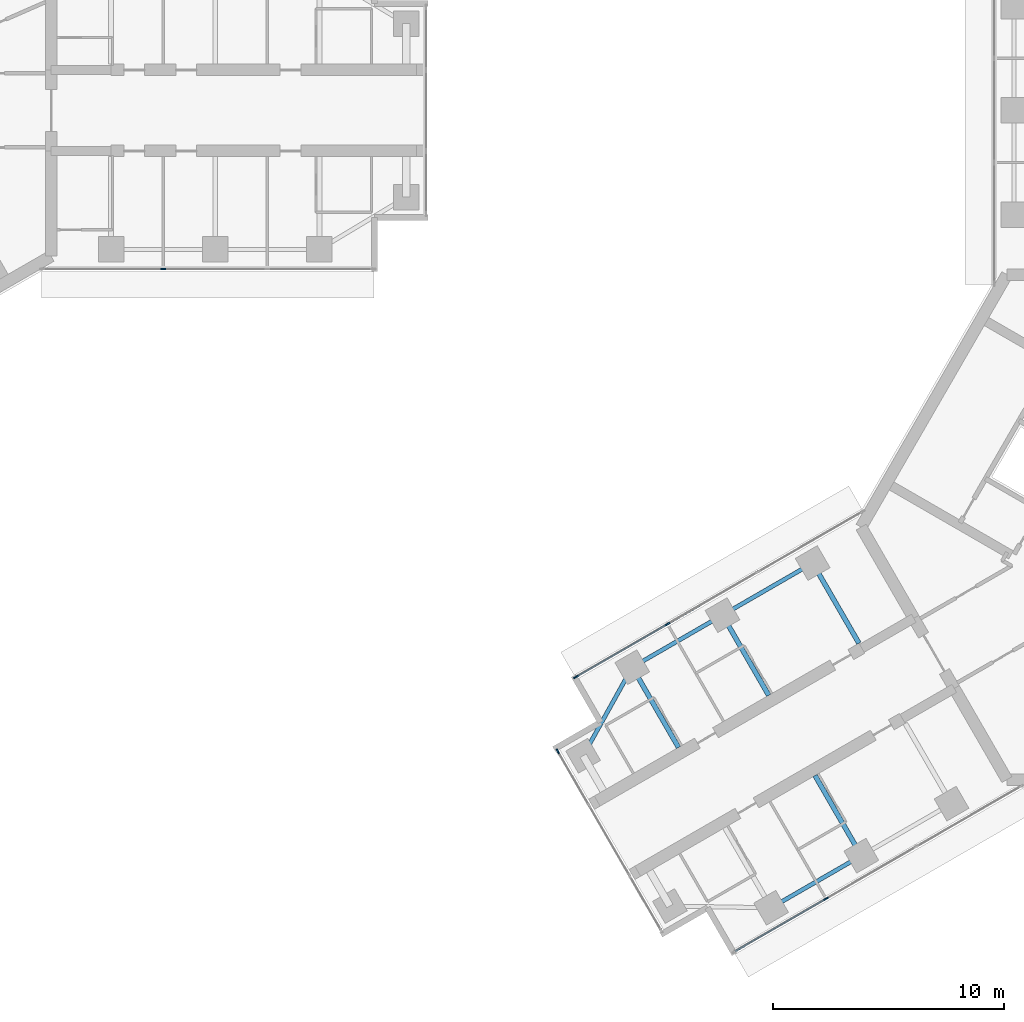
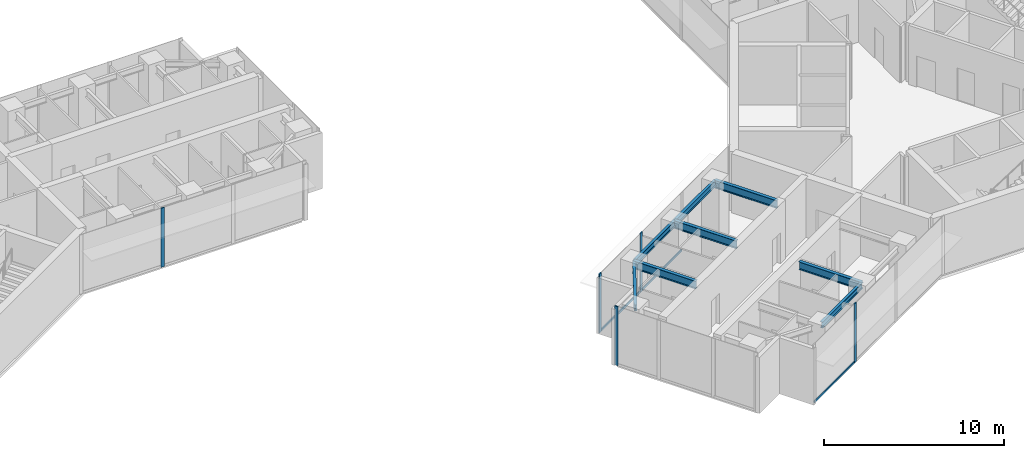
# One storey, part 3 of 18: 8 beams, 8 members, 4 elements without a shape of their own.
"""IFC4 building model written with IfcOpenShell, lengths in metres."""

from ifc_helpers import new_model, si_unit, direction, frame, origin, origin_2d, place, context, subcontext, project, spatial, rectangle, i_section, extrude, material, material_profile, profile_set, type_object, element, aggregate, save


model = new_model("IFC4")

# Units and contexts
model_context = context("Model", 3, precision=1e-05, world=origin(), true_north=direction((0.0, 1.0)))
body_context = subcontext(model_context, "Body", "Model", "MODEL_VIEW")
ifc_project = project(units=[si_unit("LENGTHUNIT", "METRE"), si_unit("AREAUNIT", "SQUARE_METRE"), si_unit("VOLUMEUNIT", "CUBIC_METRE"), si_unit("PLANEANGLEUNIT", "RADIAN"), si_unit("MASSUNIT", "GRAM", prefix="KILO")], contexts=[model_context])

# Site, building, storey
site_placement = place(None, origin())
site = spatial("IfcSite", under=ifc_project, at=site_placement, CompositionType="ELEMENT")
building_placement = place(site_placement, origin())
building = spatial("IfcBuilding", under=site, at=building_placement, Name="Upepo Twin Towers", CompositionType="ELEMENT")
storey_placement = place(building_placement, frame((0.0, 0.0, 218.5)))
storey = spatial("IfcBuildingStorey", under=building, at=storey_placement, Name="L53", CompositionType="ELEMENT", Elevation=218.5)

# Beams
ifc_material_1 = material(Name="Steel S355", Category="steel")
ifc_material_profile_1 = material_profile(ifc_material_1, i_section(OverallWidth=0.177978515625, OverallDepth=0.406494140625, WebThickness=0.0078125, FlangeThickness=0.0126953125, FilletRadius=0.01025390625, at=origin_2d()), Name="UB 406x178x60")
ifc_profile_set_1 = profile_set([ifc_material_profile_1], Name="Steel S355")
beam_type_1 = type_object("IfcBeamType", Name="Beam UB 406x178x60", PredefinedType="BEAM", material=ifc_profile_set_1)
beam_1_placement = place(storey_placement, frame((45.91162109375, -32.196044921875, 3.5966796875), z_axis=(-0.866031096941, -0.499990139034, 0.0), x_axis=(0.499990139034, -0.866031096941, 0.0)))
element("IfcBeam", 1, at=beam_1_placement, inside=storey, type_object=beam_type_1, Name="T2 edge beam BL 18.0-22.5", PredefinedType="BEAM", context=body_context, shape_type="SweptSolid", body=[
    extrude(i_section(OverallWidth=0.177978515625, OverallDepth=0.406494140625, WebThickness=0.0078125, FlangeThickness=0.0126953125, FilletRadius=0.01025390625, at=origin_2d()), origin(), (0.0, 0.0, 1.0), 4.5),
])
beam_2_placement = place(storey_placement, frame((43.80859375, -19.553955078125, 3.5966796875), z_axis=(-0.866017533419, -0.500013631625, 0.0), x_axis=(0.500013631625, -0.866017533419, 0.0)))
element("IfcBeam", 2, at=beam_2_placement, inside=storey, type_object=beam_type_1, Name="T2 edge beam BR 13.5-18.0", PredefinedType="BEAM", context=body_context, shape_type="SweptSolid", body=[
    extrude(i_section(OverallWidth=0.177978515625, OverallDepth=0.406494140625, WebThickness=0.0078125, FlangeThickness=0.0126953125, FilletRadius=0.01025390625, at=origin_2d()), origin(), (0.0, 0.0, 1.0), 4.499755859375),
])
beam_3_placement = place(storey_placement, frame((39.91162109375, -21.803955078125, 3.5966796875), z_axis=(-0.866031096941, -0.499990139034, 0.0), x_axis=(0.499990139034, -0.866031096941, 0.0)))
element("IfcBeam", 3, at=beam_3_placement, inside=storey, type_object=beam_type_1, Name="T2 edge beam BR 18.0-22.5", PredefinedType="BEAM", context=body_context, shape_type="SweptSolid", body=[
    extrude(i_section(OverallWidth=0.177978515625, OverallDepth=0.406494140625, WebThickness=0.0078125, FlangeThickness=0.0126953125, FilletRadius=0.01025390625, at=origin_2d()), origin(), (0.0, 0.0, 1.0), 4.5),
])
beam_4_placement = place(storey_placement, frame((36.014404296875, -24.053955078125, 3.5966796875), z_axis=(-0.485363242752, -0.874312600038, 0.0), x_axis=(0.874312600038, -0.485363242752, 0.0)))
element("IfcBeam", 4, at=beam_4_placement, inside=storey, type_object=beam_type_1, Name="T2 nose edge beam BR", PredefinedType="BEAM", context=body_context, shape_type="SweptSolid", body=[
    extrude(i_section(OverallWidth=0.177978515625, OverallDepth=0.406494140625, WebThickness=0.0078125, FlangeThickness=0.0126953125, FilletRadius=0.01025390625, at=origin_2d()), origin(), (0.0, 0.0, 1.0), 4.373046875),
])
ifc_material_2 = material(Name="Steel S355", Category="steel")
ifc_material_profile_2 = material_profile(ifc_material_2, i_section(OverallWidth=0.209228515625, OverallDepth=0.533203125, WebThickness=0.010009765625, FlangeThickness=0.015625, FilletRadius=0.0126953125, at=origin_2d()), Name="UB 533x210x92")
ifc_profile_set_2 = profile_set([ifc_material_profile_2], Name="Steel S355")
beam_type_2 = type_object("IfcBeamType", Name="Beam UB 533x210x92", PredefinedType="BEAM", material=ifc_profile_set_2)
for number, where, z_axis, x_axis, name in (
    (5, (45.91162109375, -32.196044921875, 3.533447265625), (-0.49999894854, 0.866026010844, 0.0), (-0.866026010844, -0.49999894854, 0.0), "T2 girder BL at 18.0"),
    (6, (43.80859375, -19.553955078125, 3.533447265625), (0.49999894854, -0.866026010844, 0.0), (0.866026010844, 0.49999894854, 0.0), "T2 girder BR at 13.5"),
    (7, (39.91162109375, -21.803955078125, 3.533447265625), (0.49999894854, -0.866026010844, 0.0), (0.866026010844, 0.49999894854, 0.0), "T2 girder BR at 18.0"),
    (8, (36.014404296875, -24.053955078125, 3.533447265625), (0.49999894854, -0.866026010844, 0.0), (0.866026010844, 0.49999894854, 0.0), "T2 girder BR at 22.5"),
):
    element("IfcBeam", number, at=place(storey_placement, frame(where, z_axis=z_axis, x_axis=x_axis)), inside=storey, type_object=beam_type_2, Name=name, PredefinedType="BEAM", context=body_context, shape_type="SweptSolid", body=[
        extrude(i_section(OverallWidth=0.209228515625, OverallDepth=0.533203125, WebThickness=0.010009765625, FlangeThickness=0.015625, FilletRadius=0.0126953125, at=origin_2d()), origin(), (0.0, 0.0, 1.0), 4.0),
    ])

# Curtain wall, member
ifc_material_3 = material(Name="Aluminium and fritted glass", Category="aluminium")
curtain_wall_type = type_object("IfcCurtainWallType", Name="Tower curtain wall TW3, fritted glass", PredefinedType="NOTDEFINED", material=ifc_material_3)
curtain_wall_1_placement = place(storey_placement, origin())
curtain_wall_1 = element("IfcCurtainWall", 9, at=curtain_wall_1_placement, inside=storey, type_object=curtain_wall_type, Name="T1 L53 wing A flank R curtain wall", PredefinedType="NOTDEFINED")
ifc_material_4 = material(Name="Aluminium mullion", Category="aluminium")
ifc_material_profile_3 = material_profile(ifc_material_4, rectangle(XDim=0.06494140625, YDim=0.22509765625, at=origin_2d()), Name="MULLION 65x225")
ifc_profile_set_3 = profile_set([ifc_material_profile_3], Name="Aluminium mullion")
member_type_1 = type_object("IfcMemberType", Name="Mullion 65x225 TW3", PredefinedType="MULLION", material=ifc_profile_set_3)
member_1_placement = place(storey_placement, frame((15.75, -6.85009765625, 0.0), z_axis=(0.0, 0.0, 1.0), x_axis=(0.0, -1.0, 0.0)))
member_1 = element("IfcMember", 10, at=member_1_placement, type_object=member_type_1, Name="T1 L53 wing A flank R curtain wall mullion 3", PredefinedType="MULLION", context=body_context, shape_type="SweptSolid", body=[
    extrude(rectangle(XDim=0.06494140625, YDim=0.22509765625, at=origin_2d()), origin(), (0.0, 0.0, 1.0), 4.0),
])
aggregate(curtain_wall_1, [member_1])

curtain_wall_2_placement = place(storey_placement, origin())
curtain_wall_2 = element("IfcCurtainWall", 11, at=curtain_wall_2_placement, inside=storey, type_object=curtain_wall_type, Name="T2 L53 wing B flank L curtain wall", PredefinedType="NOTDEFINED")
member_2_placement = place(storey_placement, frame((44.387939453125, -34.057373046875, 0.0), z_axis=(0.0, 0.0, 1.0), x_axis=(0.500000026527, -0.866025388469, 0.0)))
member_2 = element("IfcMember", 12, at=member_2_placement, type_object=member_type_1, Name="T2 L53 wing B flank L curtain wall mullion 3", PredefinedType="MULLION", context=body_context, shape_type="SweptSolid", body=[
    extrude(rectangle(XDim=0.06494140625, YDim=0.22509765625, at=origin_2d()), origin(), (0.0, 0.0, 1.0), 4.0),
])

# Curtain wall, members
curtain_wall_3_placement = place(storey_placement, origin())
curtain_wall_3 = element("IfcCurtainWall", 13, at=curtain_wall_3_placement, inside=storey, type_object=curtain_wall_type, Name="T2 L53 wing B flank R curtain wall", PredefinedType="NOTDEFINED")
member_3_placement = place(storey_placement, frame((33.58251953125, -24.4765625, 0.0), z_axis=(0.0, 0.0, 1.0), x_axis=(-0.500000026527, 0.866025388469, 0.0)))
member_3 = element("IfcMember", 14, at=member_3_placement, type_object=member_type_1, Name="T2 L53 wing B flank R curtain wall mullion 1", PredefinedType="MULLION", context=body_context, shape_type="SweptSolid", body=[
    extrude(rectangle(XDim=0.06494140625, YDim=0.22509765625, at=origin_2d()), origin(), (0.0, 0.0, 1.0), 4.0),
])
member_4_placement = place(storey_placement, frame((37.5380859375, -22.192626953125, 0.0), z_axis=(0.0, 0.0, 1.0), x_axis=(-0.500000026527, 0.866025388469, 0.0)))
member_4 = element("IfcMember", 15, at=member_4_placement, type_object=member_type_1, Name="T2 L53 wing B flank R curtain wall mullion 2", PredefinedType="MULLION", context=body_context, shape_type="SweptSolid", body=[
    extrude(rectangle(XDim=0.06494140625, YDim=0.22509765625, at=origin_2d()), origin(), (0.0, 0.0, 1.0), 4.0),
])

# Curtain wall, member
curtain_wall_4_placement = place(storey_placement, origin())
curtain_wall_4 = element("IfcCurtainWall", 16, at=curtain_wall_4_placement, inside=storey, type_object=curtain_wall_type, Name="T2 L53 wing B nose curtain wall", PredefinedType="NOTDEFINED")
member_5_placement = place(storey_placement, frame((32.796875, -27.68115234375, 0.0), z_axis=(0.0, 0.0, 1.0), x_axis=(0.866025386174, 0.500000030502, 0.0)))
member_5 = element("IfcMember", 17, at=member_5_placement, type_object=member_type_1, Name="T2 L53 wing B nose curtain wall mullion 1", PredefinedType="MULLION", context=body_context, shape_type="SweptSolid", body=[
    extrude(rectangle(XDim=0.06494140625, YDim=0.22509765625, at=origin_2d()), origin(), (0.0, 0.0, 1.0), 4.0),
])
aggregate(curtain_wall_4, [member_5])

# Member
ifc_material_5 = material(Name="Aluminium transom", Category="aluminium")
ifc_material_profile_4 = material_profile(ifc_material_5, rectangle(XDim=0.06494140625, YDim=0.14990234375, at=origin_2d()), Name="TRANSOM 65x150")
ifc_profile_set_4 = profile_set([ifc_material_profile_4], Name="Aluminium transom")
member_type_2 = type_object("IfcMemberType", Name="Transom 65x150 TW3", PredefinedType="USERDEFINED", material=ifc_profile_set_4)
member_6_placement = place(storey_placement, frame((44.35986328125, -34.073486328125, 0.074951171875), z_axis=(-0.866035699072, -0.499982167615, 0.0), x_axis=(0.499982167615, -0.866035699072, 0.0)))
member_6 = element("IfcMember", 18, at=member_6_placement, type_object=member_type_2, Name="T2 L53 wing B flank L curtain wall transom 3", ObjectType="TRANSOM", PredefinedType="USERDEFINED", context=body_context, shape_type="SweptSolid", body=[
    extrude(rectangle(XDim=0.06494140625, YDim=0.14990234375, at=origin_2d()), origin(), (0.0, 0.0, 1.0), 4.502685546875),
])

aggregate(curtain_wall_2, [member_2, member_6])

member_7_placement = place(storey_placement, frame((33.610595703125, -24.460205078125, 0.074951171875), z_axis=(0.866022143554, 0.500005646842, 0.0), x_axis=(-0.500005646842, 0.866022143554, 0.0)))
member_7 = element("IfcMember", 19, at=member_7_placement, type_object=member_type_2, Name="T2 L53 wing B flank R curtain wall transom 1", ObjectType="TRANSOM", PredefinedType="USERDEFINED", context=body_context, shape_type="SweptSolid", body=[
    extrude(rectangle(XDim=0.06494140625, YDim=0.14990234375, at=origin_2d()), origin(), (0.0, 0.0, 1.0), 4.50244140625),
])

member_8_placement = place(storey_placement, frame((37.566162109375, -22.176513671875, 0.074951171875), z_axis=(0.866022410713, 0.500005184116, 0.0), x_axis=(-0.500005184116, 0.866022410713, 0.0)))
member_8 = element("IfcMember", 20, at=member_8_placement, type_object=member_type_2, Name="T2 L53 wing B flank R curtain wall transom 2", ObjectType="TRANSOM", PredefinedType="USERDEFINED", context=body_context, shape_type="SweptSolid", body=[
    extrude(rectangle(XDim=0.06494140625, YDim=0.14990234375, at=origin_2d()), origin(), (0.0, 0.0, 1.0), 4.43505859375),
])

aggregate(curtain_wall_3, [member_3, member_4, member_7, member_8])

save(model, "model.ifc")
